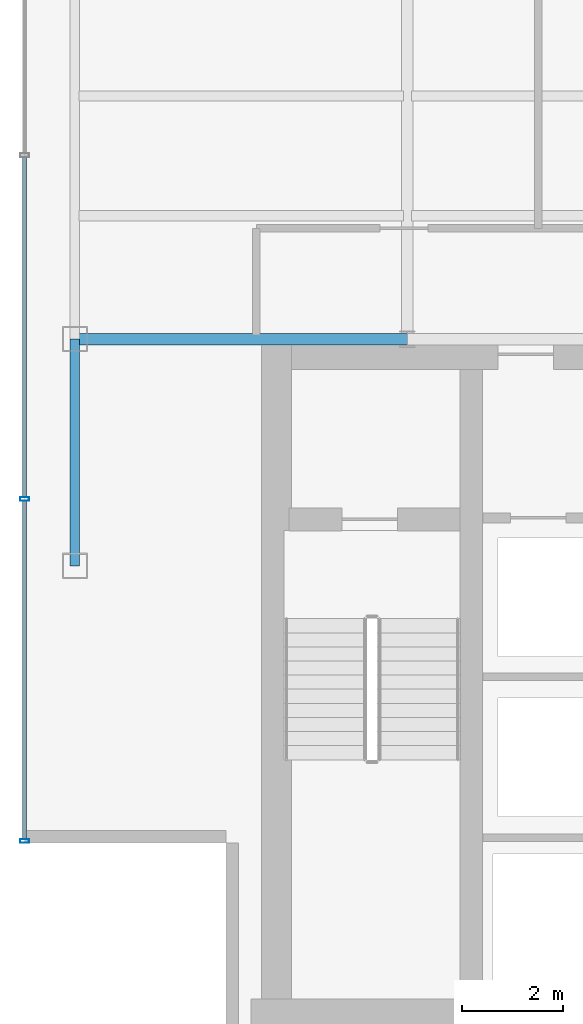
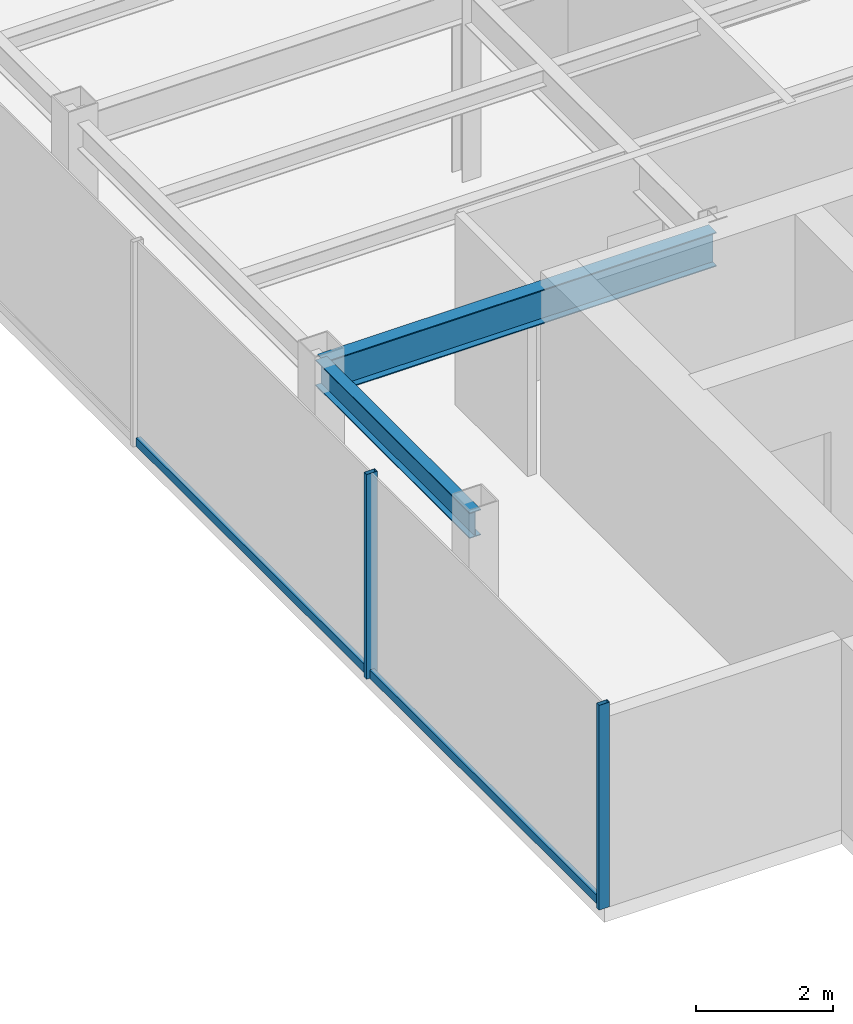
# One storey, part 3 of 22: 4 members, 2 beams, 1 element without a shape of its own.
"""IFC4 building model written with IfcOpenShell, lengths in metres."""

from ifc_helpers import new_model, si_unit, derived_unit, direction, frame, origin, origin_2d, place, context, subcontext, project, spatial, hollow_rectangle, i_section, extrude, source, transform, mapped, material, material_profile, profile_set, type_object, element, aggregate, save


model = new_model("IFC4")

# Units and contexts
model_context = context("Model", 3, precision=1e-05, world=origin(), true_north=direction((0.0, 1.0)))
body_context = subcontext(model_context, "Body", "Model", "MODEL_VIEW")
ifc_project = project(units=[si_unit("LENGTHUNIT", "METRE"), si_unit("AREAUNIT", "SQUARE_METRE"), si_unit("VOLUMEUNIT", "CUBIC_METRE"), si_unit("PLANEANGLEUNIT", "RADIAN"), si_unit("MASSUNIT", "GRAM", prefix="KILO"), derived_unit("THERMALTRANSMITTANCEUNIT", [(si_unit("POWERUNIT", "WATT"), 1), (si_unit("LENGTHUNIT", "METRE"), -2), (si_unit("THERMODYNAMICTEMPERATUREUNIT", "KELVIN"), -1)])], contexts=[model_context])

# Site, building, storey
site_placement = place(None, origin())
site = spatial("IfcSite", under=ifc_project, at=site_placement, CompositionType="ELEMENT")
building_placement = place(site_placement, origin())
building = spatial("IfcBuilding", under=site, at=building_placement, Name="Skarnbrae Concourse Arena and Tower", CompositionType="ELEMENT")
storey_placement = place(building_placement, frame((0.0, 0.0, 247.85009765625)))
storey = spatial("IfcBuildingStorey", under=building, at=storey_placement, Name="L64", CompositionType="ELEMENT", Elevation=247.85009765625)

# Beams
ifc_material_1 = material(Name="Steel CSA G40.21 350W", Category="steel")
ifc_material_profile_1 = material_profile(ifc_material_1, i_section(OverallWidth=0.22802734375, OverallDepth=0.60791015625, WebThickness=0.01123046875, FlangeThickness=0.017333984375, at=origin_2d()), Name="W610X113")
ifc_profile_set_1 = profile_set([ifc_material_profile_1], Name="Steel CSA G40.21 350W")
beam_type_1 = type_object("IfcBeamType", Name="BM-GIRD-W610X113", PredefinedType="BEAM", material=ifc_profile_set_1)
shared_shape_1 = source(origin(), body_context, "Body", "SweptSolid", [
    extrude(i_section(OverallWidth=0.22802734375, OverallDepth=0.60791015625, WebThickness=0.01123046875, FlangeThickness=0.017333984375, at=origin_2d()), origin(), (0.0, 0.0, 1.0), 6.60009765625),
])
beam_1_placement = place(storey_placement, frame((1.0, 14.0, 3.095947265625), z_axis=(1.0, 0.0, 0.0), x_axis=(0.0, 1.0, 0.0)))
element("IfcBeam", 1, at=beam_1_placement, inside=storey, type_object=beam_type_1, Name="L64 Primary E-W girder Y14.0-1", PredefinedType="BEAM", context=body_context, shape_type="MappedRepresentation", body=[
    mapped(shared_shape_1, transform((0.0, 0.0, 0.0))),
])
ifc_material_profile_2 = material_profile(ifc_material_1, i_section(OverallWidth=0.19091796875, OverallDepth=0.4599609375, WebThickness=0.010009765625, FlangeThickness=0.01611328125, at=origin_2d()), Name="W460X82")
ifc_profile_set_2 = profile_set([ifc_material_profile_2], Name="Steel CSA G40.21 350W")
beam_type_2 = type_object("IfcBeamType", Name="BM-SPAN-W460X82", PredefinedType="SPANDREL", material=ifc_profile_set_2)
shared_shape_2 = source(origin(), body_context, "Body", "SweptSolid", [
    extrude(i_section(OverallWidth=0.19091796875, OverallDepth=0.4599609375, WebThickness=0.010009765625, FlangeThickness=0.01611328125, at=origin_2d()), origin(), (0.0, 0.0, 1.0), 4.5),
])
beam_2_placement = place(storey_placement, frame((1.0, 9.5, 3.169921875), z_axis=(0.0, 1.0, 0.0), x_axis=(-1.0, 0.0, 0.0)))
element("IfcBeam", 2, at=beam_2_placement, inside=storey, type_object=beam_type_2, Name="L64 Perimeter spandrel X1.0-1", PredefinedType="SPANDREL", context=body_context, shape_type="MappedRepresentation", body=[
    mapped(shared_shape_2, transform((0.0, 0.0, 0.0))),
])

# Curtain wall, members
ifc_material_2 = material(Name="Bronze anodised aluminium 6063-T6", Category="aluminium")
curtain_wall_type = type_object("IfcCurtainWallType", Name="CW-SYS-05-HIGHZONE", PredefinedType="USERDEFINED", material=ifc_material_2)
curtain_wall_placement = place(storey_placement, origin())
curtain_wall = element("IfcCurtainWall", 3, at=curtain_wall_placement, inside=storey, type_object=curtain_wall_type, Name="L64 Unitised curtain wall CW-L64-E18", ObjectType="UNITISED CURTAIN WALL", PredefinedType="USERDEFINED")
ifc_material_profile_3 = material_profile(ifc_material_2, hollow_rectangle(XDim=0.074951171875, YDim=0.179931640625, WallThickness=0.00390625, at=origin_2d()), Name="ALU-MULL-75X180")
ifc_profile_set_3 = profile_set([ifc_material_profile_3], Name="Bronze anodised aluminium 6063-T6")
member_type_1 = type_object("IfcMemberType", Name="CWM-CW-05", PredefinedType="MULLION", material=ifc_profile_set_3)
shared_shape_3 = source(origin(), body_context, "Body", "SweptSolid", [
    extrude(hollow_rectangle(XDim=0.074951171875, YDim=0.179931640625, WallThickness=0.00390625, at=origin_2d()), origin(), (0.0, 0.0, 1.0), 3.64990234375),
])
member_1_placement = place(storey_placement, frame((0.0, 10.824951171875, 0.0), z_axis=(0.0, 0.0, 1.0), x_axis=(0.0, -1.0, 0.0)))
member_1 = element("IfcMember", 4, at=member_1_placement, type_object=member_type_1, Name="CW-L64-E18 Mullion 4", PredefinedType="MULLION", context=body_context, shape_type="MappedRepresentation", body=[
    mapped(shared_shape_3, transform((0.0, 0.0, 0.0))),
])
member_2_placement = place(storey_placement, frame((0.0, 4.03759765625, 0.0), z_axis=(0.0, 0.0, 1.0), x_axis=(0.0, -1.0, 0.0)))
member_2 = element("IfcMember", 5, at=member_2_placement, type_object=member_type_1, Name="CW-L64-E18 Mullion 5", PredefinedType="MULLION", context=body_context, shape_type="MappedRepresentation", body=[
    mapped(shared_shape_3, transform((0.0, 0.0, 0.0))),
])
ifc_material_profile_4 = material_profile(ifc_material_2, hollow_rectangle(XDim=0.074951171875, YDim=0.14990234375, WallThickness=0.00390625, at=origin_2d()), Name="ALU-TRAN-75X150")
ifc_profile_set_4 = profile_set([ifc_material_profile_4], Name="Bronze anodised aluminium 6063-T6")
member_type_2 = type_object("IfcMemberType", Name="CWT-CW-05", PredefinedType="USERDEFINED", material=ifc_profile_set_4)
shared_shape_4 = source(origin(), body_context, "Body", "SweptSolid", [
    extrude(hollow_rectangle(XDim=0.074951171875, YDim=0.14990234375, WallThickness=0.00390625, at=origin_2d()), origin(), (0.0, 0.0, 1.0), 6.712646484375),
])
member_3_placement = place(storey_placement, frame((0.0, 10.78759765625, 0.074951171875), z_axis=(0.0, -1.0, 0.0), x_axis=(1.0, 0.0, 0.0)))
member_3 = element("IfcMember", 6, at=member_3_placement, type_object=member_type_2, Name="CW-L64-E18 Transom 4", ObjectType="TRANSOM", PredefinedType="USERDEFINED", context=body_context, shape_type="MappedRepresentation", body=[
    mapped(shared_shape_4, transform((0.0, 0.0, 0.0))),
])
shared_shape_5 = source(origin(), body_context, "Body", "SweptSolid", [
    extrude(hollow_rectangle(XDim=0.074951171875, YDim=0.14990234375, WallThickness=0.00390625, at=origin_2d()), origin(), (0.0, 0.0, 1.0), 6.75),
])
member_4_placement = place(storey_placement, frame((0.0, 17.612548828125, 0.074951171875), z_axis=(0.0, -1.0, 0.0), x_axis=(1.0, 0.0, 0.0)))
member_4 = element("IfcMember", 7, at=member_4_placement, type_object=member_type_2, Name="CW-L64-E18 Transom 3", ObjectType="TRANSOM", PredefinedType="USERDEFINED", context=body_context, shape_type="MappedRepresentation", body=[
    mapped(shared_shape_5, transform((0.0, 0.0, 0.0))),
])
aggregate(curtain_wall, [member_1, member_2, member_4, member_3])

save(model, "model.ifc")
